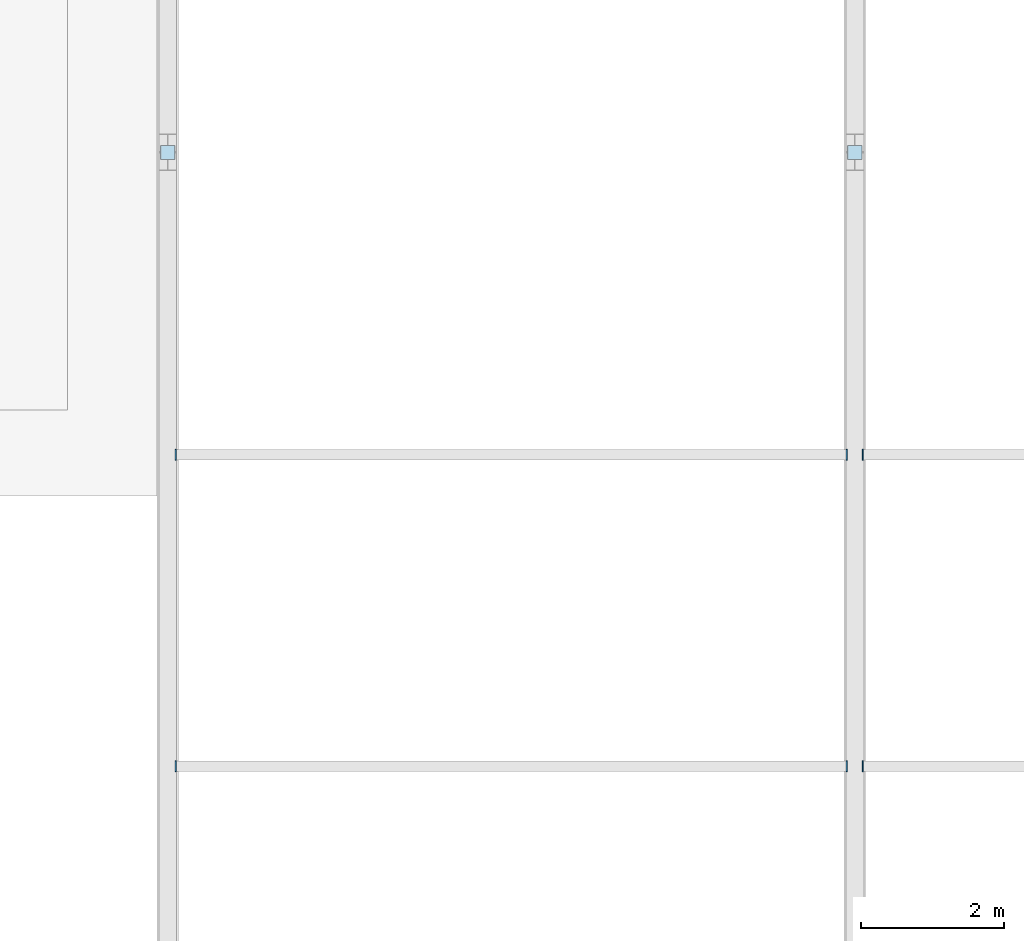
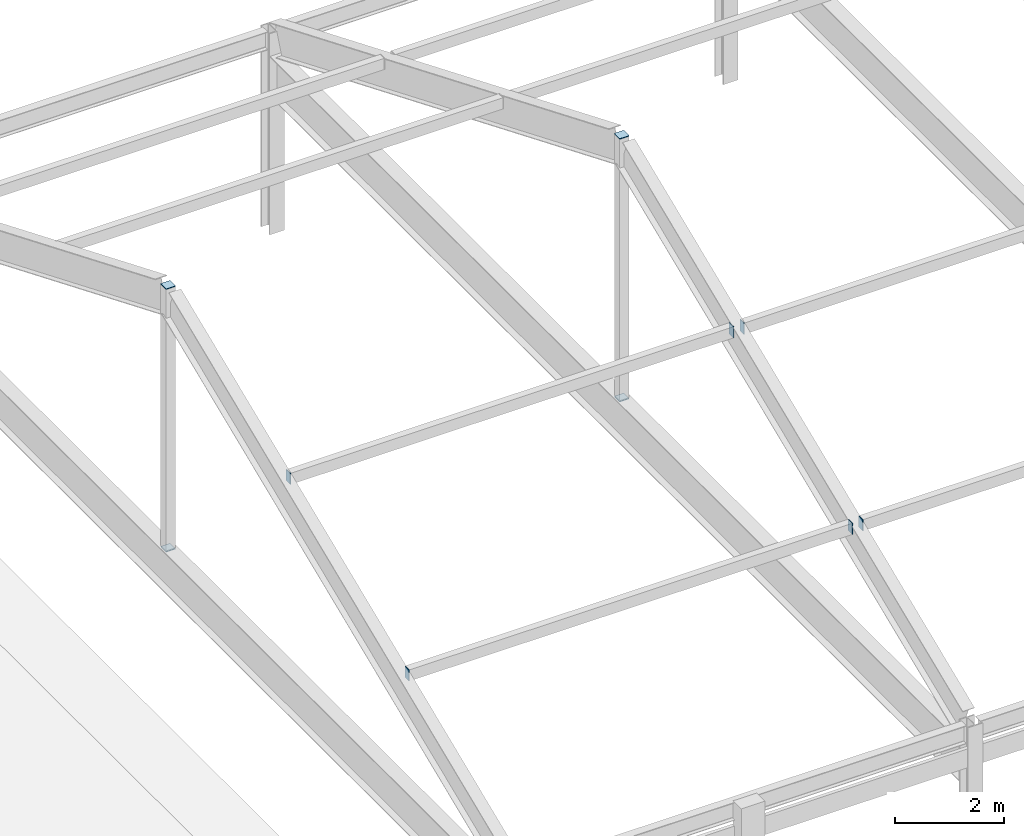
# One storey, part 58 of 88: 10 plates.
"""IFC4 building model written with IfcOpenShell, lengths in metres."""

from ifc_helpers import new_model, si_unit, direction, frame, origin, origin_2d, place, context, subcontext, project, spatial, rectangle, extrude, material, layer, layer_set, type_object, element, save


model = new_model("IFC4")

# Units and contexts
model_context = context("Model", 3, precision=1e-05, world=origin(), true_north=direction((0.0, 1.0)))
body_context = subcontext(model_context, "Body", "Model", "MODEL_VIEW")
ifc_project = project(units=[si_unit("LENGTHUNIT", "METRE"), si_unit("AREAUNIT", "SQUARE_METRE"), si_unit("VOLUMEUNIT", "CUBIC_METRE"), si_unit("PLANEANGLEUNIT", "RADIAN"), si_unit("MASSUNIT", "GRAM", prefix="KILO")], contexts=[model_context])

# Site, building, storey
site_placement = place(None, origin())
site = spatial("IfcSite", under=ifc_project, at=site_placement, CompositionType="ELEMENT")
building_placement = place(site_placement, origin())
building = spatial("IfcBuilding", under=site, at=building_placement, Name="Sarnbrook Museum", CompositionType="ELEMENT")
storey_placement = place(building_placement, frame((0.0, 0.0, 10.10009765625)))
storey = spatial("IfcBuildingStorey", under=building, at=storey_placement, Name="L02", CompositionType="ELEMENT", Elevation=10.10009765625)

# Plates
ifc_material = material(Name="Structural Steel Grade 350L0 (AS/NZS 3678, fy = 340 MPa for 20 < t <= 40 mm)", Category="steel")
ifc_layer_1 = layer(ifc_material, 0.01611328125)
ifc_layer_set_1 = layer_set([ifc_layer_1], Name="Structural Steel Grade 350L0 (AS/NZS 3678, fy = 340 MPa for 20 < t <= 40 mm)")
plate_type_1 = type_object("IfcPlateType", Name="EndCapPlate_CAP200", PredefinedType="USERDEFINED", material=ifc_layer_set_1)
for number, where, z_axis, x_axis, name in (
    (1, (42.39990234375, 17.60009765625, 3.9638671875), (0.0, 0.0, 1.0), (1.0, 0.0, 0.0), "Hollow End Cap Plate AUDTR:42.4:KP-1"),
    (2, (42.39990234375, 17.60009765625, 9.841796875), (0.0, 0.0, 1.0), (1.0, 0.0, 0.0), "Hollow End Cap Plate AUDTR:42.4:KP-2"),
    (3, (52.0, 17.60009765625, 3.9638671875), (0.0, 0.0, 1.0), (1.0, 0.0, 0.0), "Hollow End Cap Plate AUDTR:52.0:KP-1"),
    (4, (52.0, 17.60009765625, 9.841796875), (0.0, 0.0, 1.0), (1.0, 0.0, 0.0), "Hollow End Cap Plate AUDTR:52.0:KP-2"),
):
    element("IfcPlate", number, at=place(storey_placement, frame(where, z_axis=z_axis, x_axis=x_axis)), inside=storey, type_object=plate_type_1, Name=name, ObjectType="END CAP PLATE", PredefinedType="USERDEFINED", context=body_context, shape_type="SweptSolid", body=[
        extrude(rectangle(XDim=0.199951171875, YDim=0.199951171875, at=origin_2d()), origin(), (0.0, 0.0, 1.0), 0.01611328125),
    ])
ifc_layer_2 = layer(ifc_material, 0.01611328125)
ifc_layer_set_2 = layer_set([ifc_layer_2], Name="Structural Steel Grade 350L0 (AS/NZS 3678, fy = 340 MPa for 20 < t <= 40 mm)")
plate_type_2 = type_object("IfcPlateType", Name="EndCapPlate_CAP250x150", PredefinedType="USERDEFINED", material=ifc_layer_set_2)
for number, where, z_axis, x_axis, name in (
    (5, (42.50390625, 9.02392578125, 6.32177734375), (1.0, 0.0, 0.0), (0.0, 1.0, 0.0), "Hollow End Cap Plate AUDPR:S:0.33:1-1"),
    (6, (51.8798828125, 9.02392578125, 6.32177734375), (1.0, 0.0, 0.0), (0.0, 1.0, 0.0), "Hollow End Cap Plate AUDPR:S:0.33:1-2"),
    (7, (52.10400390625, 9.02392578125, 6.32177734375), (1.0, 0.0, 0.0), (0.0, 1.0, 0.0), "Hollow End Cap Plate AUDPR:S:0.33:2-1"),
    (8, (42.50390625, 13.3759765625, 8.080078125), (1.0, 0.0, 0.0), (0.0, 1.0, 0.0), "Hollow End Cap Plate AUDPR:S:0.67:1-1"),
    (9, (51.8798828125, 13.3759765625, 8.080078125), (1.0, 0.0, 0.0), (0.0, 1.0, 0.0), "Hollow End Cap Plate AUDPR:S:0.67:1-2"),
    (10, (52.10400390625, 13.3759765625, 8.080078125), (1.0, 0.0, 0.0), (0.0, 1.0, 0.0), "Hollow End Cap Plate AUDPR:S:0.67:2-1"),
):
    element("IfcPlate", number, at=place(storey_placement, frame(where, z_axis=z_axis, x_axis=x_axis)), inside=storey, type_object=plate_type_2, Name=name, ObjectType="END CAP PLATE", PredefinedType="USERDEFINED", context=body_context, shape_type="SweptSolid", body=[
        extrude(rectangle(XDim=0.14990234375, YDim=0.25, at=origin_2d()), origin(), (0.0, 0.0, 1.0), 0.01611328125),
    ])

save(model, "model.ifc")
